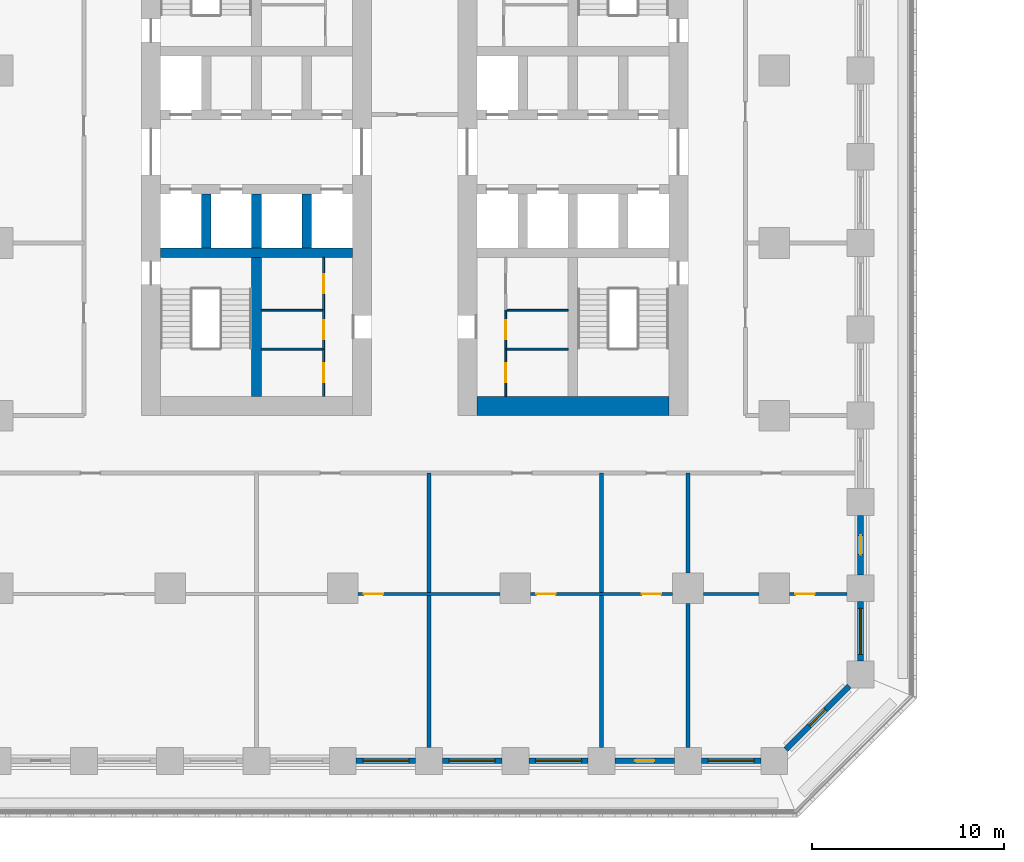
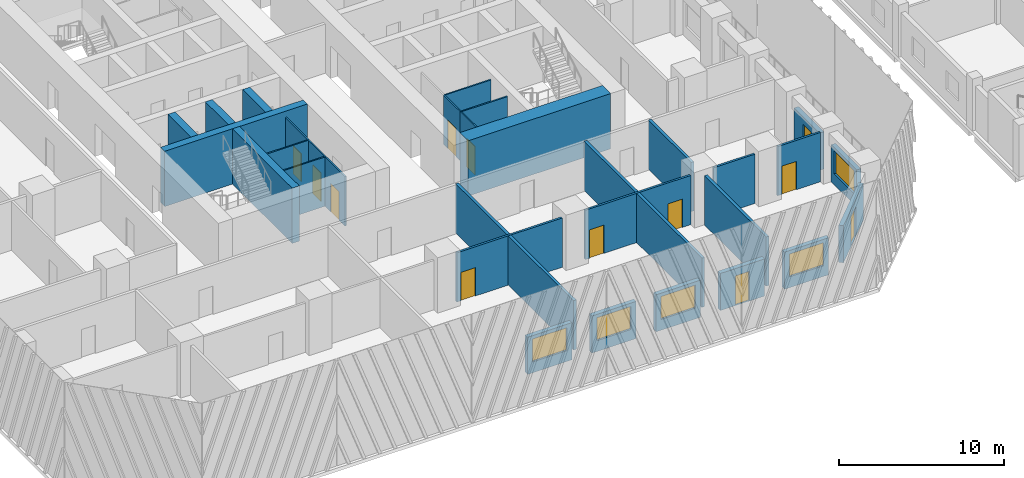
# One storey, part 12 of 31: 31 walls, 12 doors, 5 windows, 17 openings.
"""IFC4 building model written with IfcOpenShell, lengths in metres."""

from ifc_helpers import new_model, si_unit, direction, frame, frame_2d, origin, place, context, subcontext, project, spatial, rectangle, extrude, material, layer, layer_set, type_object, element, fill, save


model = new_model("IFC4")

# Units and contexts
model_context = context("Model", 3, precision=1e-05, world=origin(), true_north=direction((0.0, 1.0)))
body_context = subcontext(model_context, "Body", "Model", "MODEL_VIEW")
ifc_project = project(units=[si_unit("LENGTHUNIT", "METRE"), si_unit("AREAUNIT", "SQUARE_METRE"), si_unit("VOLUMEUNIT", "CUBIC_METRE"), si_unit("PLANEANGLEUNIT", "RADIAN"), si_unit("MASSUNIT", "GRAM", prefix="KILO")], contexts=[model_context])

# Site, building, storey
site_placement = place(None, origin())
site = spatial("IfcSite", under=ifc_project, at=site_placement, CompositionType="ELEMENT")
building_placement = place(site_placement, origin())
building = spatial("IfcBuilding", under=site, at=building_placement, Name="Corbel Stack Research Tower", CompositionType="ELEMENT")
storey_placement = place(building_placement, frame((0.0, 0.0, 15.39990234375)))
storey = spatial("IfcBuildingStorey", under=building, at=storey_placement, Name="L03", CompositionType="ELEMENT", Elevation=15.39990234375)

# Walls
ifc_material_1 = material(Name="Concrete C70/85", Category="concrete")
ifc_layer_1 = layer(ifc_material_1, 1.0)
ifc_layer_set_1 = layer_set([ifc_layer_1], Name="Concrete C70/85")
wall_type_1 = type_object("IfcWallType", Name="CW-1000-70", PredefinedType="SHEAR", material=ifc_layer_set_1)
wall_1_placement = place(storey_placement, frame((7.0, -8.5, 0.0), z_axis=(0.0, 0.0, 1.0), x_axis=(1.0, 0.0, 0.0)))
element("IfcWall", 1, at=wall_1_placement, inside=storey, type_object=wall_type_1, Name="East core wall, south end L03", PredefinedType="SHEAR", context=body_context, shape_type="SweptSolid", body=[
    extrude(rectangle(XDim=10.0, YDim=1.0, at=frame_2d((5.0, 0.0))), origin(), (0.0, 0.0, 1.0), 4.10009765625),
])
ifc_material_2 = material(Name="Concrete C70/85", Category="concrete")
ifc_layer_2 = layer(ifc_material_2, 0.5)
ifc_layer_set_2 = layer_set([ifc_layer_2], Name="Concrete C70/85")
wall_type_2 = type_object("IfcWallType", Name="CW-500-70", PredefinedType="SHEAR", material=ifc_layer_set_2)
wall_2_placement = place(storey_placement, frame((-9.5, -0.5, 0.0), z_axis=(0.0, 0.0, 1.0), x_axis=(1.0, 0.0, 0.0)))
element("IfcWall", 2, at=wall_2_placement, inside=storey, type_object=wall_type_2, Name="West core wall, south row back L03", PredefinedType="SHEAR", context=body_context, shape_type="SweptSolid", body=[
    extrude(rectangle(XDim=10.0, YDim=0.5, at=frame_2d((5.0, 0.0))), origin(), (0.0, 0.0, 1.0), 4.10009765625),
])
for number, where, z_axis, x_axis, name in (
    (3, (-7.125, -0.25, 0.0), (0.0, 0.0, 1.0), (0.0, 1.0, 0.0), "West core wall, south shaft 1 L03"),
    (4, (-4.5, -0.25, 0.0), (0.0, 0.0, 1.0), (0.0, 1.0, 0.0), "West core wall, south shaft 2 L03"),
    (5, (-1.875, -0.25, 0.0), (0.0, 0.0, 1.0), (0.0, 1.0, 0.0), "West core wall, south shaft 3 L03"),
):
    element("IfcWall", number, at=place(storey_placement, frame(where, z_axis=z_axis, x_axis=x_axis)), inside=storey, type_object=wall_type_2, Name=name, PredefinedType="SHEAR", context=body_context, shape_type="SweptSolid", body=[
        extrude(rectangle(XDim=2.800048828125, YDim=0.5, at=frame_2d((1.39990234375, 0.0))), origin(), (0.0, 0.0, 1.0), 4.10009765625),
    ])
wall_3_placement = place(storey_placement, frame((-4.5, -8.0, 0.0), z_axis=(0.0, 0.0, 1.0), x_axis=(0.0, 1.0, 0.0)))
element("IfcWall", 6, at=wall_3_placement, inside=storey, type_object=wall_type_2, Name="West core wall, south stair and WC L03", PredefinedType="SHEAR", context=body_context, shape_type="SweptSolid", body=[
    extrude(rectangle(XDim=7.25, YDim=0.5, at=frame_2d((3.625, 0.0))), origin(), (0.0, 0.0, 1.0), 4.10009765625),
])

# Wall, opening, door
ifc_material_3 = material(Name="Gypsum board")
ifc_layer_3 = layer(ifc_material_3, 0.10009765625)
ifc_layer_set_3 = layer_set([ifc_layer_3], Name="Gypsum board")
wall_type_3 = type_object("IfcWallType", Name="Core partition 100", PredefinedType="PARTITIONING", material=ifc_layer_set_3)
wall_4_placement = place(storey_placement, frame((-1.0, -8.0, 0.0), z_axis=(0.0, 0.0, 1.0), x_axis=(0.0, 1.0, 0.0)))
wall_4 = element("IfcWall", 7, at=wall_4_placement, inside=storey, type_object=wall_type_3, Name="Core partition W", PredefinedType="PARTITIONING", context=body_context, shape_type="SweptSolid", body=[
    extrude(rectangle(XDim=2.465087890625, YDim=0.10009765625, at=frame_2d((1.232421875, 0.0))), origin(), (0.0, 0.0, 1.0), 3.650146484375),
])
opening_1_placement = place(wall_4_placement, frame((0.732421875, 0.0, 0.0)))
opening_1 = element("IfcOpeningElement", 8, at=opening_1_placement, cuts=wall_4, Name="Opening CR-W12-W2-1000", PredefinedType="OPENING", context=body_context, shape_type="SweptSolid", body=[
    extrude(rectangle(XDim=1.0, YDim=2.10009765625, at=frame_2d((0.5, 1.050048828125))), frame((0.0, 0.06005859375, 0.0), z_axis=(0.0, -1.0, 0.0), x_axis=(1.0, 0.0, 0.0)), (0.0, 0.0, 1.0), 0.1201171875),
])
ifc_material_4 = material(Name="Painted timber door", Category="wood")
door_type_1 = type_object("IfcDoorType", Name="WC door 1000 x 2100 right hand", OperationType="SINGLE_SWING_RIGHT", PredefinedType="DOOR", material=ifc_material_4)
door_1_placement = place(opening_1_placement, origin())
door_1 = element("IfcDoor", 9, at=door_1_placement, inside=storey, type_object=door_type_1, Name="Men's WC door W core", OperationType="SINGLE_SWING_RIGHT", OverallHeight=2.10009765625, OverallWidth=1.0, PredefinedType="DOOR", context=body_context, shape_type="SweptSolid", body=[
    extrude(rectangle(XDim=1.0, YDim=2.10009765625, at=frame_2d((0.5, 1.050048828125))), frame((0.0, 0.02490234375, 0.0), z_axis=(0.0, -1.0, 0.0), x_axis=(1.0, 0.0, 0.0)), (0.0, 0.0, 1.0), 0.050048828125),
])
fill(opening_1, door_1)

wall_5_placement = place(storey_placement, frame((-1.0, -5.534912109375, 0.0), z_axis=(0.0, 0.0, 1.0), x_axis=(0.0, 1.0, 0.0)))
wall_5 = element("IfcWall", 10, at=wall_5_placement, inside=storey, type_object=wall_type_3, Name="Core partition W", PredefinedType="PARTITIONING", context=body_context, shape_type="SweptSolid", body=[
    extrude(rectangle(XDim=2.030029296875, YDim=0.10009765625, at=frame_2d((1.01513671875, 0.0))), origin(), (0.0, 0.0, 1.0), 3.650146484375),
])
opening_2_placement = place(wall_5_placement, frame((0.514892578125, 0.0, 0.0)))
opening_2 = element("IfcOpeningElement", 11, at=opening_2_placement, cuts=wall_5, Name="Opening CR-W12-W3-1000", PredefinedType="OPENING", context=body_context, shape_type="SweptSolid", body=[
    extrude(rectangle(XDim=1.0, YDim=2.10009765625, at=frame_2d((0.5, 1.050048828125))), frame((0.0, 0.06005859375, 0.0), z_axis=(0.0, -1.0, 0.0), x_axis=(1.0, 0.0, 0.0)), (0.0, 0.0, 1.0), 0.1201171875),
])
ifc_material_5 = material(Name="Painted timber door", Category="wood")
door_type_2 = type_object("IfcDoorType", Name="WC door 1000 x 2100 left hand", OperationType="SINGLE_SWING_LEFT", PredefinedType="DOOR", material=ifc_material_5)
door_2_placement = place(opening_2_placement, origin())
door_2 = element("IfcDoor", 12, at=door_2_placement, inside=storey, type_object=door_type_2, Name="Accessible WC door W core", OperationType="SINGLE_SWING_LEFT", OverallHeight=2.10009765625, OverallWidth=1.0, PredefinedType="DOOR", context=body_context, shape_type="SweptSolid", body=[
    extrude(rectangle(XDim=1.0, YDim=2.10009765625, at=frame_2d((0.5, 1.050048828125))), frame((0.0, 0.02490234375, 0.0), z_axis=(0.0, -1.0, 0.0), x_axis=(1.0, 0.0, 0.0)), (0.0, 0.0, 1.0), 0.050048828125),
])
fill(opening_2, door_2)

wall_6_placement = place(storey_placement, frame((-1.0, -3.5048828125, 0.0), z_axis=(0.0, 0.0, 1.0), x_axis=(0.0, 1.0, 0.0)))
wall_6 = element("IfcWall", 13, at=wall_6_placement, inside=storey, type_object=wall_type_3, Name="Core partition W", PredefinedType="PARTITIONING", context=body_context, shape_type="SweptSolid", body=[
    extrude(rectangle(XDim=2.7548828125, YDim=0.10009765625, at=frame_2d((1.37744140625, 0.0))), origin(), (0.0, 0.0, 1.0), 3.650146484375),
])
opening_3_placement = place(wall_6_placement, frame((0.87744140625, 0.0, 0.0)))
opening_3 = element("IfcOpeningElement", 14, at=opening_3_placement, cuts=wall_6, Name="Opening CR-W12-W4-1000", PredefinedType="OPENING", context=body_context, shape_type="SweptSolid", body=[
    extrude(rectangle(XDim=1.0, YDim=2.10009765625, at=frame_2d((0.5, 1.050048828125))), frame((0.0, 0.06005859375, 0.0), z_axis=(0.0, -1.0, 0.0), x_axis=(1.0, 0.0, 0.0)), (0.0, 0.0, 1.0), 0.1201171875),
])
door_3_placement = place(opening_3_placement, origin())
door_3 = element("IfcDoor", 15, at=door_3_placement, inside=storey, type_object=door_type_1, Name="Women's WC door W core", OperationType="SINGLE_SWING_RIGHT", OverallHeight=2.10009765625, OverallWidth=1.0, PredefinedType="DOOR", context=body_context, shape_type="SweptSolid", body=[
    extrude(rectangle(XDim=1.0, YDim=2.10009765625, at=frame_2d((0.5, 1.050048828125))), frame((0.0, 0.02490234375, 0.0), z_axis=(0.0, -1.0, 0.0), x_axis=(1.0, 0.0, 0.0)), (0.0, 0.0, 1.0), 0.050048828125),
])
fill(opening_3, door_3)

# Walls
for number, where, z_axis, x_axis, name in (
    (16, (-4.25, -5.534912109375, 0.0), (0.0, 0.0, 1.0), (1.0, 0.0, 0.0), "Core partition W"),
    (17, (-4.25, -3.5048828125, 0.0), (0.0, 0.0, 1.0), (1.0, 0.0, 0.0), "Core partition W"),
):
    element("IfcWall", number, at=place(storey_placement, frame(where, z_axis=z_axis, x_axis=x_axis)), inside=storey, type_object=wall_type_3, Name=name, PredefinedType="PARTITIONING", context=body_context, shape_type="SweptSolid", body=[
        extrude(rectangle(XDim=3.25, YDim=0.10009765625, at=frame_2d((1.625, 0.0))), origin(), (0.0, 0.0, 1.0), 3.650146484375),
    ])

# Wall, opening, door
wall_7_placement = place(storey_placement, frame((8.5, -8.0, 0.0), z_axis=(0.0, 0.0, 1.0), x_axis=(0.0, 1.0, 0.0)))
wall_7 = element("IfcWall", 18, at=wall_7_placement, inside=storey, type_object=wall_type_3, Name="Core partition E", PredefinedType="PARTITIONING", context=body_context, shape_type="SweptSolid", body=[
    extrude(rectangle(XDim=2.465087890625, YDim=0.10009765625, at=frame_2d((1.232421875, 0.0))), origin(), (0.0, 0.0, 1.0), 3.650146484375),
])
opening_4_placement = place(wall_7_placement, frame((0.732421875, 0.0, 0.0)))
opening_4 = element("IfcOpeningElement", 19, at=opening_4_placement, cuts=wall_7, Name="Opening CR-E12-W2-1000", PredefinedType="OPENING", context=body_context, shape_type="SweptSolid", body=[
    extrude(rectangle(XDim=1.0, YDim=2.10009765625, at=frame_2d((0.5, 1.050048828125))), frame((0.0, 0.06005859375, 0.0), z_axis=(0.0, -1.0, 0.0), x_axis=(1.0, 0.0, 0.0)), (0.0, 0.0, 1.0), 0.1201171875),
])
door_4_placement = place(opening_4_placement, origin())
door_4 = element("IfcDoor", 20, at=door_4_placement, inside=storey, type_object=door_type_2, Name="Men's WC door E core", OperationType="SINGLE_SWING_LEFT", OverallHeight=2.10009765625, OverallWidth=1.0, PredefinedType="DOOR", context=body_context, shape_type="SweptSolid", body=[
    extrude(rectangle(XDim=1.0, YDim=2.10009765625, at=frame_2d((0.5, 1.050048828125))), frame((0.0, 0.02490234375, 0.0), z_axis=(0.0, -1.0, 0.0), x_axis=(1.0, 0.0, 0.0)), (0.0, 0.0, 1.0), 0.050048828125),
])
fill(opening_4, door_4)

wall_8_placement = place(storey_placement, frame((8.5, -5.534912109375, 0.0), z_axis=(0.0, 0.0, 1.0), x_axis=(0.0, 1.0, 0.0)))
wall_8 = element("IfcWall", 21, at=wall_8_placement, inside=storey, type_object=wall_type_3, Name="Core partition E", PredefinedType="PARTITIONING", context=body_context, shape_type="SweptSolid", body=[
    extrude(rectangle(XDim=2.030029296875, YDim=0.10009765625, at=frame_2d((1.01513671875, 0.0))), origin(), (0.0, 0.0, 1.0), 3.650146484375),
])
opening_5_placement = place(wall_8_placement, frame((0.514892578125, 0.0, 0.0)))
opening_5 = element("IfcOpeningElement", 22, at=opening_5_placement, cuts=wall_8, Name="Opening CR-E12-W3-1000", PredefinedType="OPENING", context=body_context, shape_type="SweptSolid", body=[
    extrude(rectangle(XDim=1.0, YDim=2.10009765625, at=frame_2d((0.5, 1.050048828125))), frame((0.0, 0.06005859375, 0.0), z_axis=(0.0, -1.0, 0.0), x_axis=(1.0, 0.0, 0.0)), (0.0, 0.0, 1.0), 0.1201171875),
])
door_5_placement = place(opening_5_placement, origin())
door_5 = element("IfcDoor", 23, at=door_5_placement, inside=storey, type_object=door_type_1, Name="Accessible WC door E core", OperationType="SINGLE_SWING_RIGHT", OverallHeight=2.10009765625, OverallWidth=1.0, PredefinedType="DOOR", context=body_context, shape_type="SweptSolid", body=[
    extrude(rectangle(XDim=1.0, YDim=2.10009765625, at=frame_2d((0.5, 1.050048828125))), frame((0.0, 0.02490234375, 0.0), z_axis=(0.0, -1.0, 0.0), x_axis=(1.0, 0.0, 0.0)), (0.0, 0.0, 1.0), 0.050048828125),
])
fill(opening_5, door_5)

# Walls
for number, where, z_axis, x_axis, name in (
    (24, (8.5, -5.534912109375, 0.0), (0.0, 0.0, 1.0), (1.0, 0.0, 0.0), "Core partition E"),
    (25, (8.5, -3.5048828125, 0.0), (0.0, 0.0, 1.0), (1.0, 0.0, 0.0), "Core partition E"),
):
    element("IfcWall", number, at=place(storey_placement, frame(where, z_axis=z_axis, x_axis=x_axis)), inside=storey, type_object=wall_type_3, Name=name, PredefinedType="PARTITIONING", context=body_context, shape_type="SweptSolid", body=[
        extrude(rectangle(XDim=3.25, YDim=0.10009765625, at=frame_2d((1.625, 0.0))), origin(), (0.0, 0.0, 1.0), 3.650146484375),
    ])
ifc_material_6 = material(Name="Fire-rated gypsum board partition on steel studs", Category="steel")
ifc_layer_4 = layer(ifc_material_6, 0.199951171875)
ifc_layer_set_4 = layer_set([ifc_layer_4], Name="Fire-rated gypsum board partition on steel studs")
wall_type_4 = type_object("IfcWallType", Name="Fire-rated partition 200 EI 60", PredefinedType="PARTITIONING", material=ifc_layer_set_4)
for number, where, z_axis, x_axis, name in (
    (26, (4.5, -26.300048828125, 0.0), (0.0, 0.0, 1.0), (0.0, 1.0, 0.0), "Partition L03-008"),
    (27, (13.5, -26.300048828125, 0.0), (0.0, 0.0, 1.0), (0.0, 1.0, 0.0), "Partition L03-010"),
):
    element("IfcWall", number, at=place(storey_placement, frame(where, z_axis=z_axis, x_axis=x_axis)), inside=storey, type_object=wall_type_4, Name=name, PredefinedType="PARTITIONING", context=body_context, shape_type="SweptSolid", body=[
        extrude(rectangle(XDim=14.300048828125, YDim=0.199951171875, at=frame_2d((7.14990234375, 0.0))), origin(), (0.0, 0.0, 1.0), 3.650146484375),
    ])
wall_9_placement = place(storey_placement, frame((18.0, -26.300048828125, 0.0), z_axis=(0.0, 0.0, 1.0), x_axis=(0.0, 1.0, 0.0)))
element("IfcWall", 28, at=wall_9_placement, inside=storey, type_object=wall_type_4, Name="Partition L03-012", PredefinedType="PARTITIONING", context=body_context, shape_type="SweptSolid", body=[
    extrude(rectangle(XDim=7.5, YDim=0.199951171875, at=frame_2d((3.75, 0.0))), origin(), (0.0, 0.0, 1.0), 3.650146484375),
])
wall_10_placement = place(storey_placement, frame((18.0, -17.199951171875, 0.0), z_axis=(0.0, 0.0, 1.0), x_axis=(0.0, 1.0, 0.0)))
element("IfcWall", 29, at=wall_10_placement, inside=storey, type_object=wall_type_4, Name="Partition L03-013", PredefinedType="PARTITIONING", context=body_context, shape_type="SweptSolid", body=[
    extrude(rectangle(XDim=5.199951171875, YDim=0.199951171875, at=frame_2d((2.60009765625, 0.0))), origin(), (0.0, 0.0, 1.0), 3.650146484375),
])

# Wall, opening, door
ifc_material_7 = material(Name="Gypsum board partition on steel studs", Category="steel")
ifc_layer_5 = layer(ifc_material_7, 0.14990234375)
ifc_layer_set_5 = layer_set([ifc_layer_5], Name="Gypsum board partition on steel studs")
wall_type_5 = type_object("IfcWallType", Name="Partition 150", PredefinedType="PARTITIONING", material=ifc_layer_set_5)
wall_11_placement = place(storey_placement, frame((8.199951171875, -18.300048828125, 0.0), z_axis=(0.0, 0.0, 1.0), x_axis=(-1.0, 0.0, 0.0)))
wall_11 = element("IfcWall", 30, at=wall_11_placement, inside=storey, type_object=wall_type_5, Name="Partition L03-019", PredefinedType="PARTITIONING", context=body_context, shape_type="SweptSolid", body=[
    extrude(rectangle(XDim=7.39990234375, YDim=0.14990234375, at=frame_2d((3.699951171875, 0.0))), origin(), (0.0, 0.0, 1.0), 3.650146484375),
])
opening_6_placement = place(wall_11_placement, frame((6.10009765625, 0.0, 0.0)))
opening_6 = element("IfcOpeningElement", 31, at=opening_6_placement, cuts=wall_11, Name="Opening B1V0-006", PredefinedType="OPENING", context=body_context, shape_type="SweptSolid", body=[
    extrude(rectangle(XDim=1.0, YDim=2.10009765625, at=frame_2d((0.5, 1.050048828125))), frame((0.0, 0.0849609375, 0.0), z_axis=(0.0, -1.0, 0.0), x_axis=(1.0, 0.0, 0.0)), (0.0, 0.0, 1.0), 0.169921875),
])
ifc_material_8 = material(Name="Painted timber door", Category="wood")
door_type_3 = type_object("IfcDoorType", Name="Single door 1000 x 2100", OperationType="NOTDEFINED", PredefinedType="DOOR", material=ifc_material_8)
door_6_placement = place(opening_6_placement, origin())
door_6 = element("IfcDoor", 32, at=door_6_placement, inside=storey, type_object=door_type_3, Name="Door B1V0-006", OperationType="SINGLE_SWING_RIGHT", OverallHeight=2.10009765625, OverallWidth=1.0, PredefinedType="DOOR", context=body_context, shape_type="SweptSolid", body=[
    extrude(rectangle(XDim=1.0, YDim=2.10009765625, at=frame_2d((0.5, 1.050048828125))), frame((0.0, 0.02490234375, 0.0), z_axis=(0.0, -1.0, 0.0), x_axis=(1.0, 0.0, 0.0)), (0.0, 0.0, 1.0), 0.050048828125),
])
fill(opening_6, door_6)

# Wall, openings, doors
wall_12_placement = place(storey_placement, frame((17.199951171875, -18.300048828125, 0.0), z_axis=(0.0, 0.0, 1.0), x_axis=(-1.0, 0.0, 0.0)))
wall_12 = element("IfcWall", 33, at=wall_12_placement, inside=storey, type_object=wall_type_5, Name="Partition L03-020", PredefinedType="PARTITIONING", context=body_context, shape_type="SweptSolid", body=[
    extrude(rectangle(XDim=7.39990234375, YDim=0.14990234375, at=frame_2d((3.699951171875, 0.0))), origin(), (0.0, 0.0, 1.0), 3.650146484375),
])
opening_7_placement = place(wall_12_placement, frame((6.10009765625, 0.0, 0.0)))
opening_7 = element("IfcOpeningElement", 34, at=opening_7_placement, cuts=wall_12, Name="Opening B1V0-007", PredefinedType="OPENING", context=body_context, shape_type="SweptSolid", body=[
    extrude(rectangle(XDim=1.0, YDim=2.10009765625, at=frame_2d((0.5, 1.050048828125))), frame((0.0, 0.0849609375, 0.0), z_axis=(0.0, -1.0, 0.0), x_axis=(1.0, 0.0, 0.0)), (0.0, 0.0, 1.0), 0.169921875),
])
opening_8_placement = place(wall_12_placement, frame((0.60009765625, 0.0, 0.0)))
opening_8 = element("IfcOpeningElement", 35, at=opening_8_placement, cuts=wall_12, Name="Opening B1V0-008", PredefinedType="OPENING", context=body_context, shape_type="SweptSolid", body=[
    extrude(rectangle(XDim=1.0, YDim=2.10009765625, at=frame_2d((0.5, 1.050048828125))), frame((0.0, 0.0849609375, 0.0), z_axis=(0.0, -1.0, 0.0), x_axis=(1.0, 0.0, 0.0)), (0.0, 0.0, 1.0), 0.169921875),
])
door_7_placement = place(opening_7_placement, origin())
door_7 = element("IfcDoor", 36, at=door_7_placement, inside=storey, type_object=door_type_3, Name="Door B1V0-007", OperationType="SINGLE_SWING_RIGHT", OverallHeight=2.10009765625, OverallWidth=1.0, PredefinedType="DOOR", context=body_context, shape_type="SweptSolid", body=[
    extrude(rectangle(XDim=1.0, YDim=2.10009765625, at=frame_2d((0.5, 1.050048828125))), frame((0.0, 0.02490234375, 0.0), z_axis=(0.0, -1.0, 0.0), x_axis=(1.0, 0.0, 0.0)), (0.0, 0.0, 1.0), 0.050048828125),
])
fill(opening_7, door_7)
door_8_placement = place(opening_8_placement, origin())
door_8 = element("IfcDoor", 37, at=door_8_placement, inside=storey, type_object=door_type_3, Name="Door B1V0-008", OperationType="SINGLE_SWING_LEFT", OverallHeight=2.10009765625, OverallWidth=1.0, PredefinedType="DOOR", context=body_context, shape_type="SweptSolid", body=[
    extrude(rectangle(XDim=1.0, YDim=2.10009765625, at=frame_2d((0.5, 1.050048828125))), frame((0.0, 0.02490234375, 0.0), z_axis=(0.0, -1.0, 0.0), x_axis=(1.0, 0.0, 0.0)), (0.0, 0.0, 1.0), 0.050048828125),
])
fill(opening_8, door_8)

# Wall
wall_13_placement = place(storey_placement, frame((18.800048828125, -18.300048828125, 0.0), z_axis=(0.0, 0.0, 1.0), x_axis=(1.0, 0.0, 0.0)))
element("IfcWall", 38, at=wall_13_placement, inside=storey, type_object=wall_type_5, Name="Partition L03-021", PredefinedType="PARTITIONING", context=body_context, shape_type="SweptSolid", body=[
    extrude(rectangle(XDim=2.89990234375, YDim=0.14990234375, at=frame_2d((1.449951171875, 0.0))), origin(), (0.0, 0.0, 1.0), 3.650146484375),
])

# Wall, opening, door
wall_14_placement = place(storey_placement, frame((26.300048828125, -18.300048828125, 0.0), z_axis=(0.0, 0.0, 1.0), x_axis=(-1.0, 0.0, 0.0)))
wall_14 = element("IfcWall", 39, at=wall_14_placement, inside=storey, type_object=wall_type_5, Name="Partition L03-022", PredefinedType="PARTITIONING", context=body_context, shape_type="SweptSolid", body=[
    extrude(rectangle(XDim=3.0, YDim=0.14990234375, at=frame_2d((1.5, 0.0))), origin(), (0.0, 0.0, 1.0), 3.650146484375),
])
opening_9_placement = place(wall_14_placement, frame((1.699951171875, 0.0, 0.0)))
opening_9 = element("IfcOpeningElement", 40, at=opening_9_placement, cuts=wall_14, Name="Opening B1V0-009", PredefinedType="OPENING", context=body_context, shape_type="SweptSolid", body=[
    extrude(rectangle(XDim=1.0, YDim=2.10009765625, at=frame_2d((0.5, 1.050048828125))), frame((0.0, 0.0849609375, 0.0), z_axis=(0.0, -1.0, 0.0), x_axis=(1.0, 0.0, 0.0)), (0.0, 0.0, 1.0), 0.169921875),
])
door_9_placement = place(opening_9_placement, origin())
door_9 = element("IfcDoor", 41, at=door_9_placement, inside=storey, type_object=door_type_3, Name="Door B1V0-009", OperationType="SINGLE_SWING_RIGHT", OverallHeight=2.10009765625, OverallWidth=1.0, PredefinedType="DOOR", context=body_context, shape_type="SweptSolid", body=[
    extrude(rectangle(XDim=1.0, YDim=2.10009765625, at=frame_2d((0.5, 1.050048828125))), frame((0.0, 0.02490234375, 0.0), z_axis=(0.0, -1.0, 0.0), x_axis=(1.0, 0.0, 0.0)), (0.0, 0.0, 1.0), 0.050048828125),
])
fill(opening_9, door_9)

# Wall, opening, window
ifc_material_9 = material(Name="Concrete C45/55", Category="concrete")
ifc_layer_6 = layer(ifc_material_9, 0.300048828125)
ifc_layer_set_6 = layer_set([ifc_layer_6], Name="Concrete C45/55")
wall_type_6 = type_object("IfcWallType", Name="Terracotta-faced concrete wall 300", PredefinedType="SOLIDWALL", material=ifc_layer_set_6)
wall_15_placement = place(storey_placement, frame((3.800048828125, -27.0, 0.0), z_axis=(0.0, 0.0, 1.0), x_axis=(-1.0, 0.0, 0.0)))
wall_15 = element("IfcWall", 42, at=wall_15_placement, inside=storey, type_object=wall_type_6, Name="Facade wall L03 S06", PredefinedType="SOLIDWALL", context=body_context, shape_type="SweptSolid", body=[
    extrude(rectangle(XDim=3.10009765625, YDim=0.300048828125, at=frame_2d((1.550048828125, 0.0))), origin(), (0.0, 0.0, 1.0), 2.75),
])
opening_10_placement = place(wall_15_placement, frame((0.35009765625, 0.0, 0.800048828125)))
opening_10 = element("IfcOpeningElement", 43, at=opening_10_placement, cuts=wall_15, Name="Opening W1", PredefinedType="OPENING", context=body_context, shape_type="SweptSolid", body=[
    extrude(rectangle(XDim=2.39990234375, YDim=1.699951171875, at=frame_2d((1.199951171875, 0.85009765625))), frame((0.0, 0.159912109375, 0.0), z_axis=(0.0, -1.0, 0.0), x_axis=(1.0, 0.0, 0.0)), (0.0, 0.0, 1.0), 0.320068359375),
])
ifc_material_10 = material(Name="Aluminium frame, clear double glazing", Category="aluminium")
window_type = type_object("IfcWindowType", Name="Window W1 2400 x 1700", PartitioningType="SINGLE_PANEL", PredefinedType="WINDOW", material=ifc_material_10)
window_1_placement = place(opening_10_placement, origin())
window_1 = element("IfcWindow", 44, at=window_1_placement, inside=storey, type_object=window_type, Name="Window W1 L03 S06", OverallHeight=1.699951171875, OverallWidth=2.39990234375, PartitioningType="SINGLE_PANEL", PredefinedType="WINDOW", context=body_context, shape_type="SweptSolid", body=[
    extrude(rectangle(XDim=2.39990234375, YDim=1.699951171875, at=frame_2d((1.199951171875, 0.85009765625))), frame((0.0, 0.030029296875, 0.0), z_axis=(0.0, -1.0, 0.0), x_axis=(1.0, 0.0, 0.0)), (0.0, 0.0, 1.0), 0.06005859375),
])
fill(opening_10, window_1)

wall_16_placement = place(storey_placement, frame((8.300048828125, -27.0, 0.0), z_axis=(0.0, 0.0, 1.0), x_axis=(-1.0, 0.0, 0.0)))
wall_16 = element("IfcWall", 45, at=wall_16_placement, inside=storey, type_object=wall_type_6, Name="Facade wall L03 S07", PredefinedType="SOLIDWALL", context=body_context, shape_type="SweptSolid", body=[
    extrude(rectangle(XDim=3.10009765625, YDim=0.300048828125, at=frame_2d((1.550048828125, 0.0))), origin(), (0.0, 0.0, 1.0), 2.75),
])
opening_11_placement = place(wall_16_placement, frame((0.35009765625, 0.0, 0.800048828125)))
opening_11 = element("IfcOpeningElement", 46, at=opening_11_placement, cuts=wall_16, Name="Opening W1", PredefinedType="OPENING", context=body_context, shape_type="SweptSolid", body=[
    extrude(rectangle(XDim=2.39990234375, YDim=1.699951171875, at=frame_2d((1.199951171875, 0.85009765625))), frame((0.0, 0.159912109375, 0.0), z_axis=(0.0, -1.0, 0.0), x_axis=(1.0, 0.0, 0.0)), (0.0, 0.0, 1.0), 0.320068359375),
])
window_2_placement = place(opening_11_placement, origin())
window_2 = element("IfcWindow", 47, at=window_2_placement, inside=storey, type_object=window_type, Name="Window W1 L03 S07", OverallHeight=1.699951171875, OverallWidth=2.39990234375, PartitioningType="SINGLE_PANEL", PredefinedType="WINDOW", context=body_context, shape_type="SweptSolid", body=[
    extrude(rectangle(XDim=2.39990234375, YDim=1.699951171875, at=frame_2d((1.199951171875, 0.85009765625))), frame((0.0, 0.030029296875, 0.0), z_axis=(0.0, -1.0, 0.0), x_axis=(1.0, 0.0, 0.0)), (0.0, 0.0, 1.0), 0.06005859375),
])
fill(opening_11, window_2)

wall_17_placement = place(storey_placement, frame((12.800048828125, -27.0, 0.0), z_axis=(0.0, 0.0, 1.0), x_axis=(-1.0, 0.0, 0.0)))
wall_17 = element("IfcWall", 48, at=wall_17_placement, inside=storey, type_object=wall_type_6, Name="Facade wall L03 S08", PredefinedType="SOLIDWALL", context=body_context, shape_type="SweptSolid", body=[
    extrude(rectangle(XDim=3.10009765625, YDim=0.300048828125, at=frame_2d((1.550048828125, 0.0))), origin(), (0.0, 0.0, 1.0), 2.75),
])
opening_12_placement = place(wall_17_placement, frame((0.35009765625, 0.0, 0.800048828125)))
opening_12 = element("IfcOpeningElement", 49, at=opening_12_placement, cuts=wall_17, Name="Opening W1", PredefinedType="OPENING", context=body_context, shape_type="SweptSolid", body=[
    extrude(rectangle(XDim=2.39990234375, YDim=1.699951171875, at=frame_2d((1.199951171875, 0.85009765625))), frame((0.0, 0.159912109375, 0.0), z_axis=(0.0, -1.0, 0.0), x_axis=(1.0, 0.0, 0.0)), (0.0, 0.0, 1.0), 0.320068359375),
])
window_3_placement = place(opening_12_placement, origin())
window_3 = element("IfcWindow", 50, at=window_3_placement, inside=storey, type_object=window_type, Name="Window W1 L03 S08", OverallHeight=1.699951171875, OverallWidth=2.39990234375, PartitioningType="SINGLE_PANEL", PredefinedType="WINDOW", context=body_context, shape_type="SweptSolid", body=[
    extrude(rectangle(XDim=2.39990234375, YDim=1.699951171875, at=frame_2d((1.199951171875, 0.85009765625))), frame((0.0, 0.030029296875, 0.0), z_axis=(0.0, -1.0, 0.0), x_axis=(1.0, 0.0, 0.0)), (0.0, 0.0, 1.0), 0.06005859375),
])
fill(opening_12, window_3)

# Wall, opening, door
wall_18_placement = place(storey_placement, frame((17.300048828125, -27.0, 0.0), z_axis=(0.0, 0.0, 1.0), x_axis=(-1.0, 0.0, 0.0)))
wall_18 = element("IfcWall", 51, at=wall_18_placement, inside=storey, type_object=wall_type_6, Name="Facade wall L03 S09", PredefinedType="SOLIDWALL", context=body_context, shape_type="SweptSolid", body=[
    extrude(rectangle(XDim=3.10009765625, YDim=0.300048828125, at=frame_2d((1.550048828125, 0.0))), origin(), (0.0, 0.0, 1.0), 2.75),
])
opening_13_placement = place(wall_18_placement, frame((1.050048828125, 0.0, 0.0)))
opening_13 = element("IfcOpeningElement", 52, at=opening_13_placement, cuts=wall_18, Name="Opening L03-B02", PredefinedType="OPENING", context=body_context, shape_type="SweptSolid", body=[
    extrude(rectangle(XDim=1.0, YDim=2.199951171875, at=frame_2d((0.5, 1.10009765625))), frame((0.0, 0.159912109375, 0.0), z_axis=(0.0, -1.0, 0.0), x_axis=(1.0, 0.0, 0.0)), (0.0, 0.0, 1.0), 0.320068359375),
])
ifc_material_11 = material(Name="Aluminium frame, clear double glazing", Category="aluminium")
door_type_4 = type_object("IfcDoorType", Name="Balcony door BD1 1000 x 2200", OperationType="NOTDEFINED", PredefinedType="DOOR", material=ifc_material_11)
door_10_placement = place(opening_13_placement, origin())
door_10 = element("IfcDoor", 53, at=door_10_placement, inside=storey, type_object=door_type_4, Name="Balcony door L03-B02", OperationType="SINGLE_SWING_RIGHT", OverallHeight=2.199951171875, OverallWidth=1.0, PredefinedType="DOOR", context=body_context, shape_type="SweptSolid", body=[
    extrude(rectangle(XDim=1.0, YDim=2.199951171875, at=frame_2d((0.5, 1.10009765625))), frame((0.0, 0.02490234375, 0.0), z_axis=(0.0, -1.0, 0.0), x_axis=(1.0, 0.0, 0.0)), (0.0, 0.0, 1.0), 0.050048828125),
])
fill(opening_13, door_10)

# Wall, opening, window
wall_19_placement = place(storey_placement, frame((21.800048828125, -27.0, 0.0), z_axis=(0.0, 0.0, 1.0), x_axis=(-1.0, 0.0, 0.0)))
wall_19 = element("IfcWall", 54, at=wall_19_placement, inside=storey, type_object=wall_type_6, Name="Facade wall L03 S10", PredefinedType="SOLIDWALL", context=body_context, shape_type="SweptSolid", body=[
    extrude(rectangle(XDim=3.10009765625, YDim=0.300048828125, at=frame_2d((1.550048828125, 0.0))), origin(), (0.0, 0.0, 1.0), 2.75),
])
opening_14_placement = place(wall_19_placement, frame((0.35009765625, 0.0, 0.800048828125)))
opening_14 = element("IfcOpeningElement", 55, at=opening_14_placement, cuts=wall_19, Name="Opening W1", PredefinedType="OPENING", context=body_context, shape_type="SweptSolid", body=[
    extrude(rectangle(XDim=2.39990234375, YDim=1.699951171875, at=frame_2d((1.199951171875, 0.85009765625))), frame((0.0, 0.159912109375, 0.0), z_axis=(0.0, -1.0, 0.0), x_axis=(1.0, 0.0, 0.0)), (0.0, 0.0, 1.0), 0.320068359375),
])
window_4_placement = place(opening_14_placement, origin())
window_4 = element("IfcWindow", 56, at=window_4_placement, inside=storey, type_object=window_type, Name="Window W1 L03 S10", OverallHeight=1.699951171875, OverallWidth=2.39990234375, PartitioningType="SINGLE_PANEL", PredefinedType="WINDOW", context=body_context, shape_type="SweptSolid", body=[
    extrude(rectangle(XDim=2.39990234375, YDim=1.699951171875, at=frame_2d((1.199951171875, 0.85009765625))), frame((0.0, 0.030029296875, 0.0), z_axis=(0.0, -1.0, 0.0), x_axis=(1.0, 0.0, 0.0)), (0.0, 0.0, 1.0), 0.06005859375),
])
fill(opening_14, window_4)

# Wall, opening, door
wall_20_placement = place(storey_placement, frame((26.406005859375, -23.093994140625, 0.0), z_axis=(0.0, 0.0, 1.0), x_axis=(-0.707106781187, -0.707106781187, 0.0)))
wall_20 = element("IfcWall", 57, at=wall_20_placement, inside=storey, type_object=wall_type_6, Name="Facade wall L03 SE01", PredefinedType="SOLIDWALL", context=body_context, shape_type="SweptSolid", body=[
    extrude(rectangle(XDim=4.683837890625, YDim=0.300048828125, at=frame_2d((2.341796875, 0.0))), origin(), (0.0, 0.0, 1.0), 2.75),
])
opening_15_placement = place(wall_20_placement, frame((1.741943359375, 0.0, 0.0)))
opening_15 = element("IfcOpeningElement", 58, at=opening_15_placement, cuts=wall_20, Name="Opening L03-B03", PredefinedType="OPENING", context=body_context, shape_type="SweptSolid", body=[
    extrude(rectangle(XDim=1.199951171875, YDim=2.199951171875, at=frame_2d((0.60009765625, 1.10009765625))), frame((0.0, 0.159912109375, 0.0), z_axis=(0.0, -1.0, 0.0), x_axis=(1.0, 0.0, 0.0)), (0.0, 0.0, 1.0), 0.320068359375),
])
ifc_material_12 = material(Name="Aluminium frame, clear double glazing", Category="aluminium")
door_type_5 = type_object("IfcDoorType", Name="Balcony door BD2 1200 x 2200", OperationType="NOTDEFINED", PredefinedType="DOOR", material=ifc_material_12)
door_11_placement = place(opening_15_placement, origin())
door_11 = element("IfcDoor", 59, at=door_11_placement, inside=storey, type_object=door_type_5, Name="Balcony door L03-B03", OperationType="SINGLE_SWING_RIGHT", OverallHeight=2.199951171875, OverallWidth=1.199951171875, PredefinedType="DOOR", context=body_context, shape_type="SweptSolid", body=[
    extrude(rectangle(XDim=1.199951171875, YDim=2.199951171875, at=frame_2d((0.60009765625, 1.10009765625))), frame((0.0, 0.02490234375, 0.0), z_axis=(0.0, -1.0, 0.0), x_axis=(1.0, 0.0, 0.0)), (0.0, 0.0, 1.0), 0.050048828125),
])
fill(opening_15, door_11)

# Wall, opening, window
wall_21_placement = place(storey_placement, frame((27.0, -18.699951171875, 0.0), z_axis=(0.0, 0.0, 1.0), x_axis=(0.0, -1.0, 0.0)))
wall_21 = element("IfcWall", 60, at=wall_21_placement, inside=storey, type_object=wall_type_6, Name="Facade wall L03 E01", PredefinedType="SOLIDWALL", context=body_context, shape_type="SweptSolid", body=[
    extrude(rectangle(XDim=3.10009765625, YDim=0.300048828125, at=frame_2d((1.550048828125, 0.0))), origin(), (0.0, 0.0, 1.0), 2.75),
])
opening_16_placement = place(wall_21_placement, frame((0.35009765625, 0.0, 0.800048828125)))
opening_16 = element("IfcOpeningElement", 61, at=opening_16_placement, cuts=wall_21, Name="Opening W1", PredefinedType="OPENING", context=body_context, shape_type="SweptSolid", body=[
    extrude(rectangle(XDim=2.39990234375, YDim=1.699951171875, at=frame_2d((1.199951171875, 0.85009765625))), frame((0.0, 0.159912109375, 0.0), z_axis=(0.0, -1.0, 0.0), x_axis=(1.0, 0.0, 0.0)), (0.0, 0.0, 1.0), 0.320068359375),
])
window_5_placement = place(opening_16_placement, origin())
window_5 = element("IfcWindow", 62, at=window_5_placement, inside=storey, type_object=window_type, Name="Window W1 L03 E01", OverallHeight=1.699951171875, OverallWidth=2.39990234375, PartitioningType="SINGLE_PANEL", PredefinedType="WINDOW", context=body_context, shape_type="SweptSolid", body=[
    extrude(rectangle(XDim=2.39990234375, YDim=1.699951171875, at=frame_2d((1.199951171875, 0.85009765625))), frame((0.0, 0.030029296875, 0.0), z_axis=(0.0, -1.0, 0.0), x_axis=(1.0, 0.0, 0.0)), (0.0, 0.0, 1.0), 0.06005859375),
])
fill(opening_16, window_5)

# Wall, opening, door
wall_22_placement = place(storey_placement, frame((27.0, -14.199951171875, 0.0), z_axis=(0.0, 0.0, 1.0), x_axis=(0.0, -1.0, 0.0)))
wall_22 = element("IfcWall", 63, at=wall_22_placement, inside=storey, type_object=wall_type_6, Name="Facade wall L03 E02", PredefinedType="SOLIDWALL", context=body_context, shape_type="SweptSolid", body=[
    extrude(rectangle(XDim=3.10009765625, YDim=0.300048828125, at=frame_2d((1.550048828125, 0.0))), origin(), (0.0, 0.0, 1.0), 2.75),
])
opening_17_placement = place(wall_22_placement, frame((1.050048828125, 0.0, 0.0)))
opening_17 = element("IfcOpeningElement", 64, at=opening_17_placement, cuts=wall_22, Name="Opening L03-B04", PredefinedType="OPENING", context=body_context, shape_type="SweptSolid", body=[
    extrude(rectangle(XDim=1.0, YDim=2.199951171875, at=frame_2d((0.5, 1.10009765625))), frame((0.0, 0.159912109375, 0.0), z_axis=(0.0, -1.0, 0.0), x_axis=(1.0, 0.0, 0.0)), (0.0, 0.0, 1.0), 0.320068359375),
])
door_12_placement = place(opening_17_placement, origin())
door_12 = element("IfcDoor", 65, at=door_12_placement, inside=storey, type_object=door_type_4, Name="Balcony door L03-B04", OperationType="SINGLE_SWING_LEFT", OverallHeight=2.199951171875, OverallWidth=1.0, PredefinedType="DOOR", context=body_context, shape_type="SweptSolid", body=[
    extrude(rectangle(XDim=1.0, YDim=2.199951171875, at=frame_2d((0.5, 1.10009765625))), frame((0.0, 0.02490234375, 0.0), z_axis=(0.0, -1.0, 0.0), x_axis=(1.0, 0.0, 0.0)), (0.0, 0.0, 1.0), 0.050048828125),
])
fill(opening_17, door_12)

save(model, "model.ifc")
